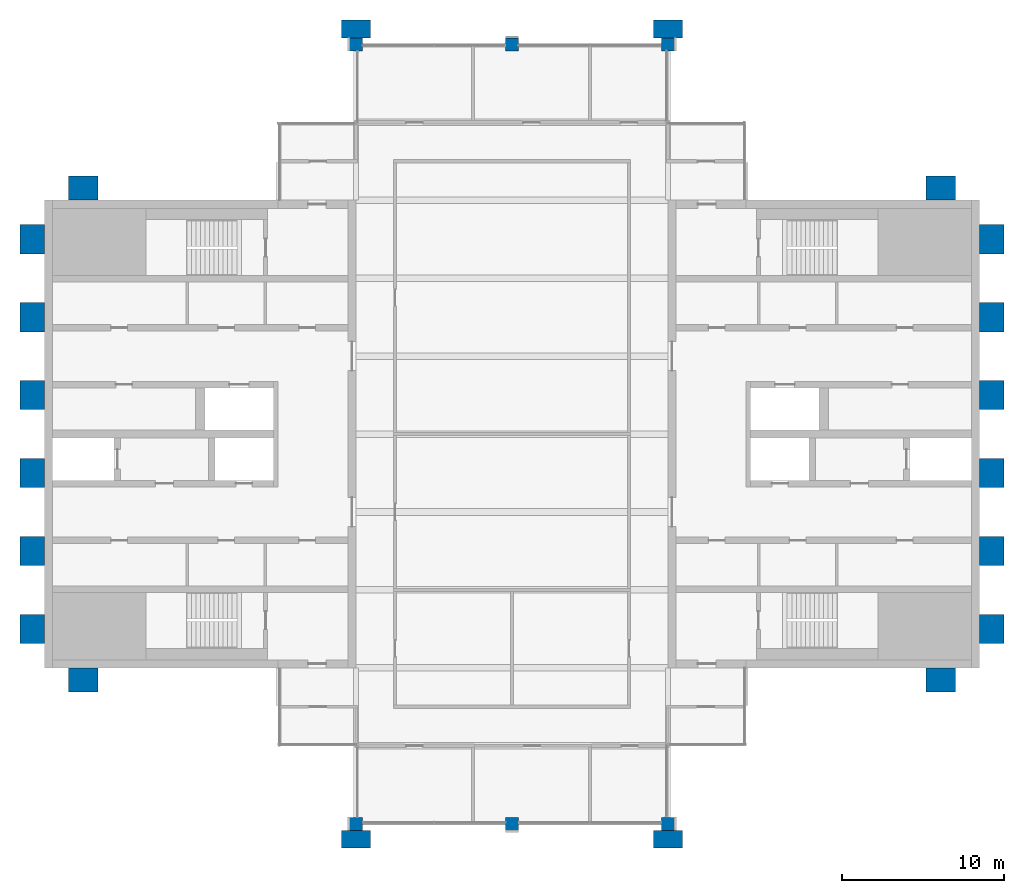
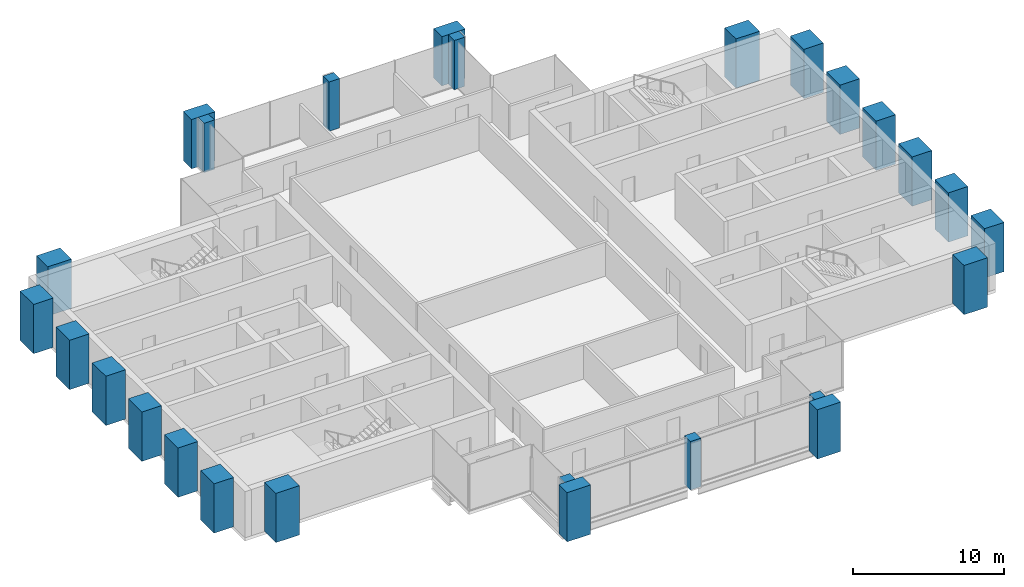
# One storey, part 1 of 11: 26 columns.
"""IFC4 building model written with IfcOpenShell, lengths in metres."""

from ifc_helpers import new_model, si_unit, direction, frame, origin, origin_2d, place, context, subcontext, project, spatial, rectangle, extrude, material, material_profile, profile_set, type_object, element, save


model = new_model("IFC4")

# Units and contexts
model_context = context("Model", 3, precision=1e-05, world=origin(), true_north=direction((0.0, 1.0)))
body_context = subcontext(model_context, "Body", "Model", "MODEL_VIEW")
ifc_project = project(units=[si_unit("LENGTHUNIT", "METRE"), si_unit("AREAUNIT", "SQUARE_METRE"), si_unit("VOLUMEUNIT", "CUBIC_METRE"), si_unit("PLANEANGLEUNIT", "RADIAN"), si_unit("MASSUNIT", "GRAM", prefix="KILO")], contexts=[model_context])

# Site, building, storey
site_placement = place(None, origin())
site = spatial("IfcSite", under=ifc_project, at=site_placement, CompositionType="ELEMENT")
building_placement = place(site_placement, origin())
building = spatial("IfcBuilding", under=site, at=building_placement, Name="Baori Bourse Tower", CompositionType="ELEMENT")
storey_placement = place(building_placement, frame((0.0, 0.0, 358.300048828125)))
storey = spatial("IfcBuildingStorey", under=building, at=storey_placement, Name="L80", CompositionType="ELEMENT", Elevation=358.300048828125)

# Columns
ifc_material_1 = material(Name="Concrete f'c 60 MPa", Category="concrete")
ifc_material_profile_1 = material_profile(ifc_material_1, rectangle(XDim=1.800048828125, YDim=1.10009765625, at=origin_2d()), Name="RC 1800x1100")
ifc_profile_set_1 = profile_set([ifc_material_profile_1], Name="Concrete f'c 60 MPa")
column_type_1 = type_object("IfcColumnType", Name="FN3 Brick pilaster 1800x1100", PredefinedType="PILASTER", material=ifc_profile_set_1)
for number, where, z_axis, x_axis, name in (
    (1, (19.199951171875, -0.949951171875, 0.0), (0.0, 0.0, 1.0), (1.0, 0.0, 0.0), "Brick pilaster L80 17"),
    (2, (38.39990234375, -0.949951171875, 0.0), (0.0, 0.0, 1.0), (1.0, 0.0, 0.0), "Brick pilaster L80 18"),
    (3, (19.199951171875, 48.949951171875, 0.0), (0.0, 0.0, 1.0), (1.0, 0.0, 0.0), "Brick pilaster L80 19"),
    (4, (38.39990234375, 48.949951171875, 0.0), (0.0, 0.0, 1.0), (1.0, 0.0, 0.0), "Brick pilaster L80 20"),
):
    element("IfcColumn", number, at=place(storey_placement, frame(where, z_axis=z_axis, x_axis=x_axis)), inside=storey, type_object=column_type_1, Name=name, PredefinedType="PILASTER", context=body_context, shape_type="SweptSolid", body=[
        extrude(rectangle(XDim=1.800048828125, YDim=1.10009765625, at=origin_2d()), origin(), (0.0, 0.0, 1.0), 4.0),
    ])
ifc_material_2 = material(Name="Concrete f'c 60 MPa", Category="concrete")
ifc_material_profile_2 = material_profile(ifc_material_2, rectangle(XDim=1.800048828125, YDim=1.5, at=origin_2d()), Name="RC 1800x1500")
ifc_profile_set_2 = profile_set([ifc_material_profile_2], Name="Concrete f'c 60 MPa")
column_type_2 = type_object("IfcColumnType", Name="FN4 Brick flank pilaster 1800x1500", PredefinedType="PILASTER", material=ifc_profile_set_2)
for number, where, z_axis, x_axis, name in (
    (5, (55.199951171875, 8.85009765625, 0.0), (0.0, 0.0, 1.0), (1.0, 0.0, 0.0), "Brick pilaster L80 1"),
    (6, (58.35009765625, 12.0, 0.0), (0.0, 0.0, 1.0), (0.0, 1.0, 0.0), "Brick pilaster L80 2"),
    (7, (58.35009765625, 16.800048828125, 0.0), (0.0, 0.0, 1.0), (0.0, 1.0, 0.0), "Brick pilaster L80 3"),
    (8, (58.35009765625, 21.60009765625, 0.0), (0.0, 0.0, 1.0), (0.0, 1.0, 0.0), "Brick pilaster L80 4"),
    (9, (58.35009765625, 26.39990234375, 0.0), (0.0, 0.0, 1.0), (0.0, 1.0, 0.0), "Brick pilaster L80 5"),
    (10, (58.35009765625, 31.199951171875, 0.0), (0.0, 0.0, 1.0), (0.0, 1.0, 0.0), "Brick pilaster L80 6"),
    (11, (58.35009765625, 36.0, 0.0), (0.0, 0.0, 1.0), (0.0, 1.0, 0.0), "Brick pilaster L80 7"),
    (12, (55.199951171875, 39.14990234375, 0.0), (0.0, 0.0, 1.0), (1.0, 0.0, 0.0), "Brick pilaster L80 8"),
    (13, (2.39990234375, 39.14990234375, 0.0), (0.0, 0.0, 1.0), (1.0, 0.0, 0.0), "Brick pilaster L80 9"),
    (14, (-0.75, 12.0, 0.0), (0.0, 0.0, 1.0), (0.0, 1.0, 0.0), "Brick pilaster L80 10"),
    (15, (-0.75, 16.800048828125, 0.0), (0.0, 0.0, 1.0), (0.0, 1.0, 0.0), "Brick pilaster L80 11"),
    (16, (-0.75, 21.60009765625, 0.0), (0.0, 0.0, 1.0), (0.0, 1.0, 0.0), "Brick pilaster L80 12"),
    (17, (-0.75, 26.39990234375, 0.0), (0.0, 0.0, 1.0), (0.0, 1.0, 0.0), "Brick pilaster L80 13"),
    (18, (-0.75, 31.199951171875, 0.0), (0.0, 0.0, 1.0), (0.0, 1.0, 0.0), "Brick pilaster L80 14"),
    (19, (-0.75, 36.0, 0.0), (0.0, 0.0, 1.0), (0.0, 1.0, 0.0), "Brick pilaster L80 15"),
    (20, (2.39990234375, 8.85009765625, 0.0), (0.0, 0.0, 1.0), (1.0, 0.0, 0.0), "Brick pilaster L80 16"),
):
    element("IfcColumn", number, at=place(storey_placement, frame(where, z_axis=z_axis, x_axis=x_axis)), inside=storey, type_object=column_type_2, Name=name, PredefinedType="PILASTER", context=body_context, shape_type="SweptSolid", body=[
        extrude(rectangle(XDim=1.800048828125, YDim=1.5, at=origin_2d()), origin(), (0.0, 0.0, 1.0), 4.0),
    ])
ifc_material_3 = material(Name="Concrete f'c 40 MPa", Category="concrete")
ifc_material_profile_3 = material_profile(ifc_material_3, rectangle(XDim=0.800048828125, YDim=0.800048828125, at=origin_2d()), Name="RC 800x800")
ifc_profile_set_3 = profile_set([ifc_material_profile_3], Name="Concrete f'c 40 MPa")
column_type_3 = type_object("IfcColumnType", Name="Perimeter column 40 RC 800x800", PredefinedType="COLUMN", material=ifc_profile_set_3)
for number, where, z_axis, x_axis, name in (
    (21, (19.199951171875, 0.0, 0.0), (0.0, 0.0, 1.0), (1.0, 0.0, 0.0), "Perimeter column L80"),
    (22, (28.800048828125, 0.0, 0.0), (0.0, 0.0, 1.0), (1.0, 0.0, 0.0), "Perimeter column L80"),
    (23, (38.39990234375, 0.0, 0.0), (0.0, 0.0, 1.0), (1.0, 0.0, 0.0), "Perimeter column L80"),
):
    element("IfcColumn", number, at=place(storey_placement, frame(where, z_axis=z_axis, x_axis=x_axis)), inside=storey, type_object=column_type_3, Name=name, PredefinedType="COLUMN", context=body_context, shape_type="SweptSolid", body=[
        extrude(rectangle(XDim=0.800048828125, YDim=0.800048828125, at=origin_2d()), origin(), (0.0, 0.0, 1.0), 3.941650390625),
    ])
for number, where, z_axis, x_axis, name in (
    (24, (19.199951171875, 48.0, 0.0), (0.0, 0.0, 1.0), (1.0, 0.0, 0.0), "Perimeter column L80"),
    (25, (28.800048828125, 48.0, 0.0), (0.0, 0.0, 1.0), (1.0, 0.0, 0.0), "Perimeter column L80"),
    (26, (38.39990234375, 48.0, 0.0), (0.0, 0.0, 1.0), (1.0, 0.0, 0.0), "Perimeter column L80"),
):
    element("IfcColumn", number, at=place(storey_placement, frame(where, z_axis=z_axis, x_axis=x_axis)), inside=storey, type_object=column_type_3, Name=name, PredefinedType="COLUMN", context=body_context, shape_type="SweptSolid", body=[
        extrude(rectangle(XDim=0.800048828125, YDim=0.800048828125, at=origin_2d()), origin(), (0.0, 0.0, 1.0), 4.0),
    ])

save(model, "model.ifc")
